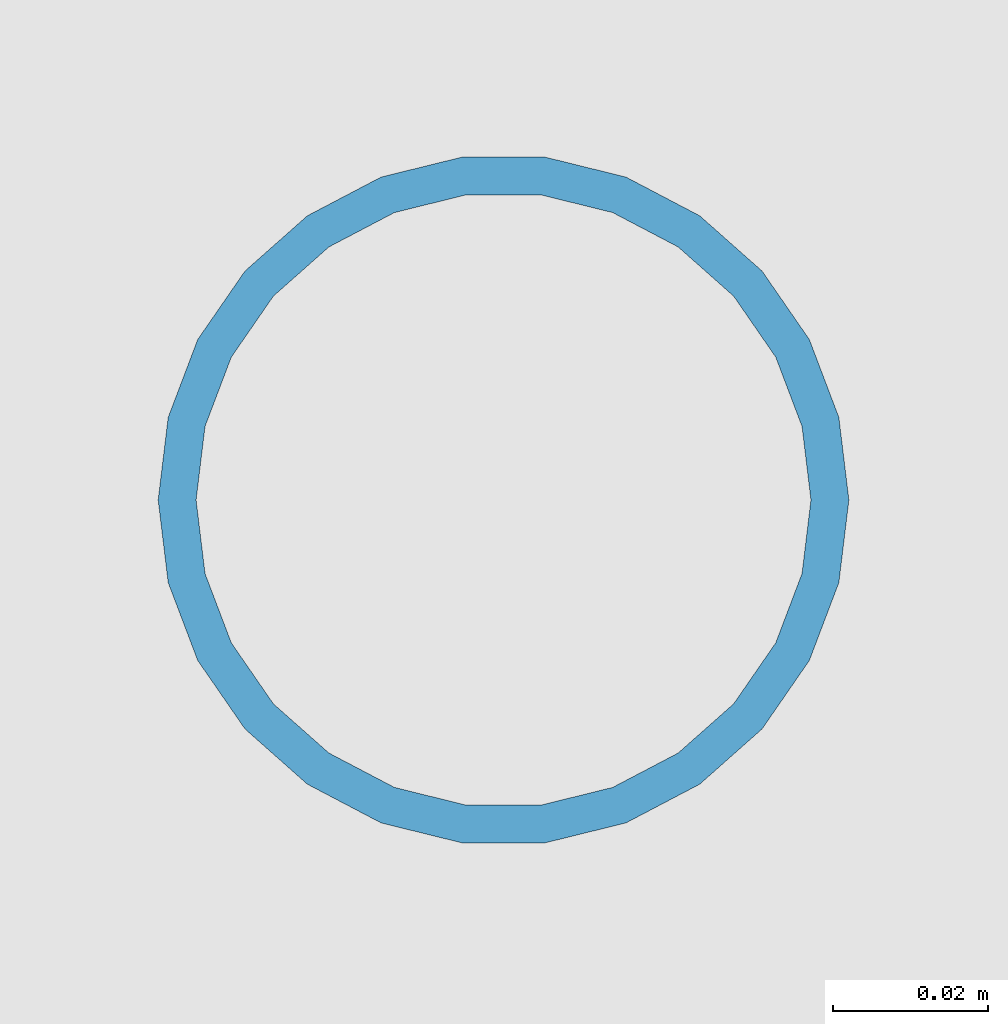
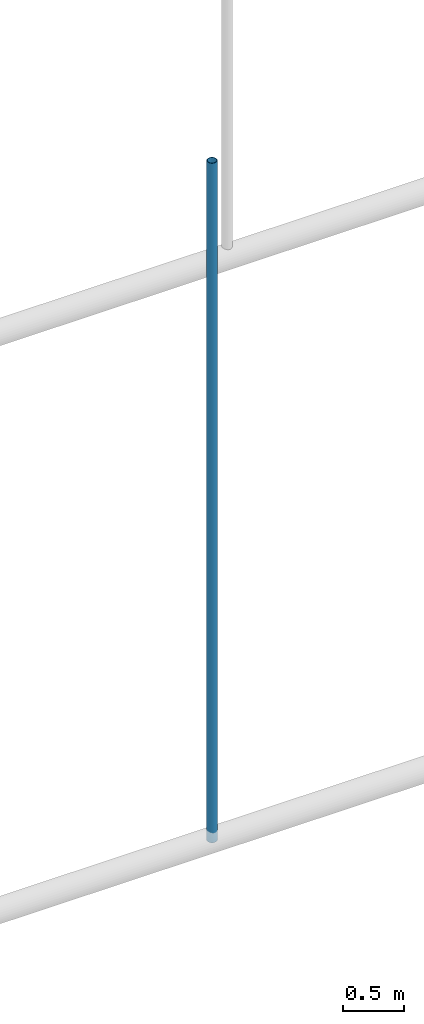
# One storey, part 10 of 101: 1 member.
"""IFC4 building model written with IfcOpenShell, lengths in metres."""

from ifc_helpers import new_model, si_unit, direction, frame, origin, origin_2d, place, context, subcontext, project, spatial, hollow_circle, extrude, material, material_profile, profile_set, type_object, element, save


model = new_model("IFC4")

# Units and contexts
model_context = context("Model", 3, precision=1e-05, world=origin(), true_north=direction((0.0, 1.0)))
body_context = subcontext(model_context, "Body", "Model", "MODEL_VIEW")
ifc_project = project(units=[si_unit("LENGTHUNIT", "METRE"), si_unit("AREAUNIT", "SQUARE_METRE"), si_unit("VOLUMEUNIT", "CUBIC_METRE"), si_unit("PLANEANGLEUNIT", "RADIAN"), si_unit("MASSUNIT", "GRAM", prefix="KILO")], contexts=[model_context])

# Site, building, storey
site_placement = place(None, origin())
site = spatial("IfcSite", under=ifc_project, at=site_placement, CompositionType="ELEMENT")
building_placement = place(site_placement, origin())
building = spatial("IfcBuilding", under=site, at=building_placement, Name="Laocheng Heights Fire and Rescue Headquarters", CompositionType="ELEMENT")
storey_placement = place(building_placement, frame((0.0, 0.0, 8.39990234375)))
storey = spatial("IfcBuildingStorey", under=building, at=storey_placement, Name="L02", CompositionType="ELEMENT", Elevation=8.39990234375)

# Member
ifc_material = material(Name="Steel Q355B", Category="steel")
ifc_material_profile = material_profile(ifc_material, hollow_circle(Radius=0.04443359375, WallThickness=0.0048828125, at=origin_2d()), Name="CHS 88.9x5")
ifc_profile_set = profile_set([ifc_material_profile], Name="Steel Q355B")
member_type = type_object("IfcMemberType", Name="BAY ROOF HANGER CHS 88.9x5", PredefinedType="POST", material=ifc_profile_set)
member_placement = place(storey_placement, frame((31.699951171875, 0.0, 0.0), z_axis=(0.0, 0.0, 1.0), x_axis=(1.0, 0.0, 0.0)))
element("IfcMember", 1, at=member_placement, inside=storey, type_object=member_type, Name="Truss TR1 hanger 06", PredefinedType="POST", context=body_context, shape_type="SweptSolid", body=[
    extrude(hollow_circle(Radius=0.04443359375, WallThickness=0.0048828125, at=origin_2d()), origin(), (0.0, 0.0, 1.0), 6.843017578125),
])

save(model, "model.ifc")
